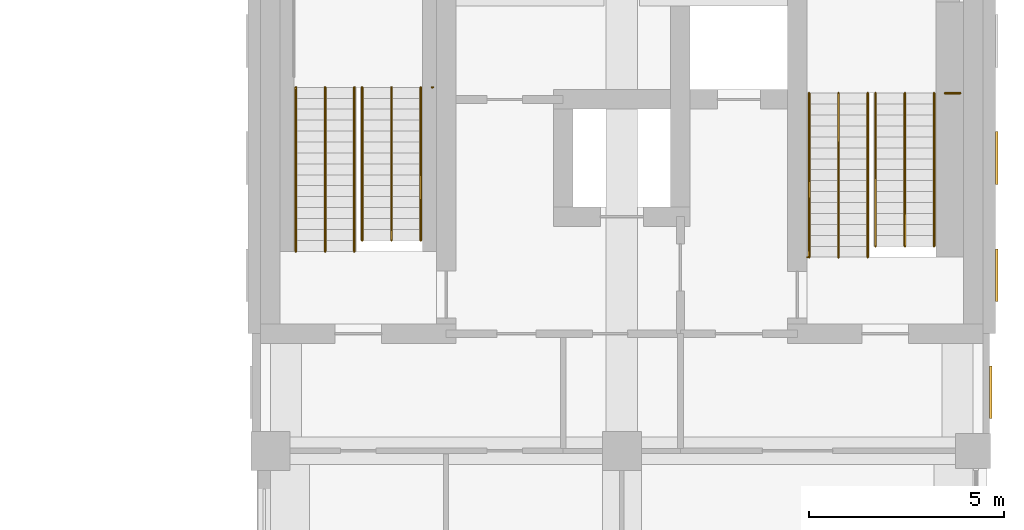
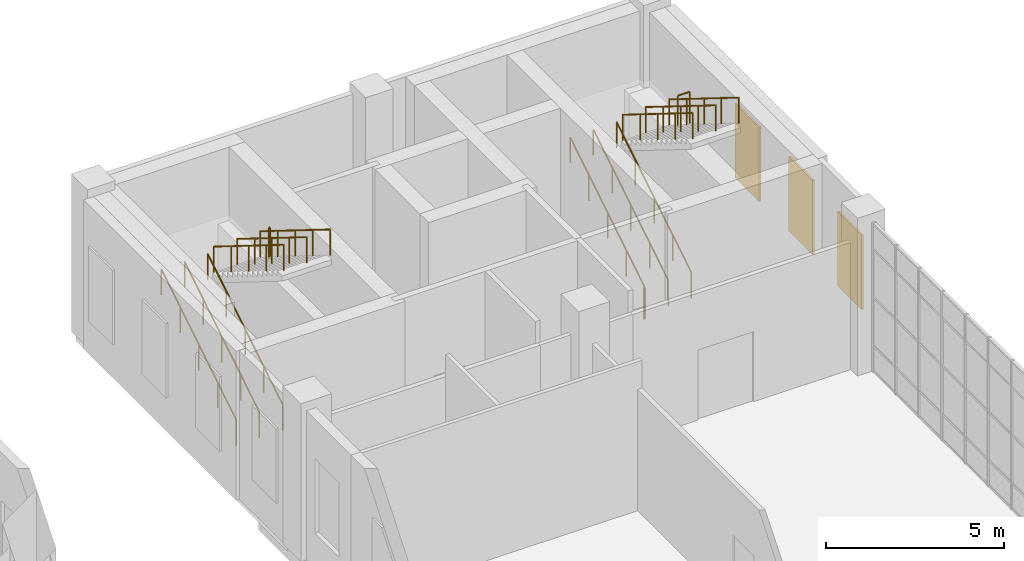
# One storey, part 50 of 52: 15 railings, 3 coverings.
"""IFC4 building model written with IfcOpenShell, lengths in metres."""

import ifcopenshell
import ifcopenshell.guid

model = None  # the IFC model being written
_history = None  # IfcOwnerHistory: only IFC2X3 demands one
_inside = {}  # id of a spatial element -> (the spatial element, [elements in it])
_under = {}  # id of a project, library or spatial element -> (it, [spatial elements below it])
_declared = {}  # id of a project -> (the project, [libraries it declares])
_typed = {}  # id of a type object -> (the type object, [elements of that type])
_made_of = {}  # id of a material, layer set ... -> (it, [elements and type objects made of it])


def new_model(schema):
    """Start an empty IFC model of exactly this schema.

    Asked for "IFC4X3", IfcOpenShell would pick the latest addendum, in which some entities
    have other attributes; the version numbers below select the first issue.
    IFC2X3 requires an IfcOwnerHistory on every rooted entity: one is made here for all.
    """
    global model, _history
    if schema == "IFC4X3":
        model = ifcopenshell.file(schema_version=(4, 3, 0, 0))
    else:
        model = ifcopenshell.file(schema=schema)
    _inside.clear()
    _under.clear()
    _declared.clear()
    _typed.clear()
    _made_of.clear()
    _history = None
    if model.schema == "IFC2X3":
        org = make("IfcOrganization", Name="unknown")
        user = make(
            "IfcPersonAndOrganization",
            ThePerson=make("IfcPerson", FamilyName="unknown"),
            TheOrganization=org,
        )
        app = make(
            "IfcApplication",
            ApplicationDeveloper=org,
            Version="unknown",
            ApplicationFullName="unknown",
            ApplicationIdentifier="unknown",
        )
        _history = make(
            "IfcOwnerHistory",
            OwningUser=user,
            OwningApplication=app,
            ChangeAction="ADDED",
            CreationDate=0,
        )
    return model


def make(cls, **values):
    """One entity of the class cls with the attributes given. An attribute that is None is left unset."""
    return model.create_entity(
        cls, **{name: value for name, value in values.items() if value is not None}
    )


def rooted(cls, **values):
    """An entity with a GlobalId (a new one), such as an element, a storey or a relation."""
    return make(cls, GlobalId=ifcopenshell.guid.new(), OwnerHistory=_history, **values)


def si_unit(unit_type, name, prefix=None):
    """IfcSIUnit, for example si_unit("LENGTHUNIT", "METRE", prefix="MILLI")."""
    return make("IfcSIUnit", UnitType=unit_type, Prefix=prefix, Name=name)


def assignment(units):
    """IfcUnitAssignment: the units of a project."""
    return None if units is None else make("IfcUnitAssignment", Units=units)


def point(xyz):
    """IfcCartesianPoint."""
    return None if xyz is None else make("IfcCartesianPoint", Coordinates=xyz)


def direction(xyz):
    """IfcDirection."""
    return None if xyz is None else make("IfcDirection", DirectionRatios=xyz)


def frame(location, z_axis=None, x_axis=None):
    """IfcAxis2Placement3D, a coordinate frame: its origin and axes. An axis left out is left unset."""
    return make(
        "IfcAxis2Placement3D",
        Location=point(location),
        Axis=direction(z_axis),
        RefDirection=direction(x_axis),
    )


def frame_2d(location, x_axis=None):
    """IfcAxis2Placement2D, a coordinate frame in the plane: its origin and x axis."""
    return make(
        "IfcAxis2Placement2D", Location=point(location), RefDirection=direction(x_axis)
    )


def origin():
    """The frame at (0, 0, 0) with its axes left unset."""
    return frame((0.0, 0.0, 0.0))


def origin_2d():
    """The frame at (0, 0) in the plane with its x axis left unset."""
    return frame_2d((0.0, 0.0))


def place(relative_to, where):
    """IfcLocalPlacement: puts the frame where relative to a parent placement (None: the world)."""
    return make(
        "IfcLocalPlacement", PlacementRelTo=relative_to, RelativePlacement=where
    )


def context(
    kind, dimensions, precision=None, world=None, true_north=None, identifier=None
):
    """IfcGeometricRepresentationContext, for example the 3D "Model" context."""
    return make(
        "IfcGeometricRepresentationContext",
        ContextIdentifier=identifier,
        ContextType=kind,
        CoordinateSpaceDimension=dimensions,
        Precision=precision,
        WorldCoordinateSystem=world,
        TrueNorth=true_north,
    )


def subcontext(parent, identifier, kind, view, scale=None):
    """IfcGeometricRepresentationSubContext, for example "Body" below "Model"."""
    return make(
        "IfcGeometricRepresentationSubContext",
        ContextIdentifier=identifier,
        ContextType=kind,
        ParentContext=parent,
        TargetScale=scale,
        TargetView=view,
    )


def project(units=None, contexts=None):
    """IfcProject with its units and contexts."""
    return rooted(
        "IfcProject",
        Name="project",
        RepresentationContexts=contexts,
        UnitsInContext=assignment(units),
    )


def spatial(cls, under=None, at=None, **own):
    """A site, building, storey or space (cls), placed at a placement, below another one or the project."""
    s = rooted(cls, ObjectPlacement=at, **own)
    if under is not None:
        _under.setdefault(under.id(), (under, []))[1].append(s)
    return s


def profile(cls, at=None, kind="AREA", **sizes):
    """A parametric profile (cls). Its sizes go by their IFC names, for example OverallWidth=200.0."""
    return make(cls, ProfileType=kind, Position=at, **sizes)


def rectangle(**sizes):
    """IfcRectangleProfileDef."""
    return profile("IfcRectangleProfileDef", **sizes)


def circle(**sizes):
    """IfcCircleProfileDef."""
    return profile("IfcCircleProfileDef", **sizes)


def extrude(swept, where, along, depth):
    """IfcExtrudedAreaSolid: the profile swept, set in the frame where, extruded along a direction by depth."""
    return make(
        "IfcExtrudedAreaSolid",
        SweptArea=swept,
        Position=where,
        ExtrudedDirection=direction(along),
        Depth=depth,
    )


def shape(context_of_items, identifier, shape_type, items):
    """IfcShapeRepresentation: the items that make up one representation, for example the "Body"."""
    return make(
        "IfcShapeRepresentation",
        ContextOfItems=context_of_items,
        RepresentationIdentifier=identifier,
        RepresentationType=shape_type,
        Items=items,
    )


def material(Name=None, Category=None):
    """IfcMaterial."""
    return make("IfcMaterial", Name=Name, Category=Category)


def layer(
    of_material, thickness, ventilated=None, Name=None, Category=None, Priority=None
):
    """IfcMaterialLayer: one layer of a wall or slab, of a material (None: an air gap)."""
    return make(
        "IfcMaterialLayer",
        Material=of_material,
        LayerThickness=thickness,
        IsVentilated=ventilated,
        Name=Name,
        Category=Category,
        Priority=Priority,
    )


def layer_set(layers, Name=None):
    """IfcMaterialLayerSet."""
    return make("IfcMaterialLayerSet", MaterialLayers=layers, LayerSetName=Name)


def made_of(thing, what):
    """Note that an element or type object is made of a material, layer set ...; save() writes the relation."""
    if what is not None:
        _made_of.setdefault(what.id(), (what, []))[1].append(thing)
    return thing


def type_object(cls, material=None, **own):
    """A type object (cls), such as IfcWallType, which elements share."""
    return made_of(rooted(cls, **own), material)


def element(
    cls,
    number,
    at=None,
    inside=None,
    cuts=None,
    type_object=None,
    material=None,
    context=None,
    identifier="Body",
    shape_type=None,
    held_by="IfcProductDefinitionShape",
    body=None,
    shapes=None,
    **own,
):
    """One element of the class cls, such as IfcWall. Its Tag is "e" and its number.

    at: its placement. inside: the storey or other place that contains it. cuts: it is an
    opening in that element (IfcRelVoidsElement). A single representation is given by context,
    identifier, shape_type and body (its items); several are given by shapes. held_by: the class
    of the entity that holds the representations. save() writes the other relations.
    """
    e = rooted(cls, Tag="e%d" % number, ObjectPlacement=at, **own)
    if body is not None:
        shapes = [shape(context, identifier, shape_type, body)]
    if shapes is not None:
        e.Representation = make(held_by, Representations=shapes)
    if inside is not None:
        _inside.setdefault(inside.id(), (inside, []))[1].append(e)
    if cuts is not None:
        rooted(
            "IfcRelVoidsElement", RelatingBuildingElement=cuts, RelatedOpeningElement=e
        )
    if type_object is not None:
        _typed.setdefault(type_object.id(), (type_object, []))[1].append(e)
    return made_of(e, material)


def aggregate(whole, parts):
    """IfcRelAggregates: a whole, such as a stair, and the parts it consists of."""
    return rooted("IfcRelAggregates", RelatingObject=whole, RelatedObjects=parts)


def save(model, path):
    """Write the relations noted so far, then the file.

    IfcRelAggregates (storeys below a building ...), IfcRelContainedInSpatialStructure (elements
    in a storey), IfcRelDefinesByType, IfcRelAssociatesMaterial and IfcRelDeclares: one each for
    every whole, place, type object, material and project.
    """
    for whole, parts in _under.values():
        aggregate(whole, parts)
    for where, things in _inside.values():
        rooted(
            "IfcRelContainedInSpatialStructure",
            RelatedElements=things,
            RelatingStructure=where,
        )
    for kind, things in _typed.values():
        rooted("IfcRelDefinesByType", RelatedObjects=things, RelatingType=kind)
    for what, things in _made_of.values():
        rooted("IfcRelAssociatesMaterial", RelatedObjects=things, RelatingMaterial=what)
    for by, libraries in _declared.values():
        rooted("IfcRelDeclares", RelatingContext=by, RelatedDefinitions=libraries)
    model.write(path)


model = new_model("IFC4")

# Units and contexts
model_context = context("Model", 3, precision=1e-05, world=origin(), true_north=direction((0.0, 1.0)))
body_context = subcontext(model_context, "Body", "Model", "MODEL_VIEW")
ifc_project = project(units=[si_unit("LENGTHUNIT", "METRE"), si_unit("AREAUNIT", "SQUARE_METRE"), si_unit("VOLUMEUNIT", "CUBIC_METRE"), si_unit("PLANEANGLEUNIT", "RADIAN"), si_unit("MASSUNIT", "GRAM", prefix="KILO")], contexts=[model_context])

# Site, building, storey
site_placement = place(None, origin())
site = spatial("IfcSite", under=ifc_project, at=site_placement, CompositionType="ELEMENT")
building_placement = place(site_placement, origin())
building = spatial("IfcBuilding", under=site, at=building_placement, Name="Aurelan Courthouse", CompositionType="ELEMENT")
storey_placement = place(building_placement, frame((0.0, 0.0, 6.60009765625)))
storey = spatial("IfcBuildingStorey", under=building, at=storey_placement, Name="L01", CompositionType="ELEMENT", Elevation=6.60009765625)

# Coverings
ifc_material_1 = material(Name="Bronze sheet cladding")
ifc_layer = layer(ifc_material_1, 0.06005859375)
ifc_layer_set = layer_set([ifc_layer], Name="Bronze sheet cladding")
covering_type = type_object("IfcCoveringType", Name="Law Library blind bay 1350 x 2550", PredefinedType="CLADDING", material=ifc_layer_set)
for number, where, z_axis, x_axis, name in (
    (1, (90.449951171875, 55.5, 1.19970703125), (0.0, 0.0, 1.0), (1.0, 0.0, 0.0), "Blind bay BB-V3-L01-010"),
    (2, (90.60009765625, 58.5, 1.19970703125), (0.0, 0.0, 1.0), (1.0, 0.0, 0.0), "Blind bay BB-V3-L01-011"),
    (3, (90.60009765625, 61.5, 1.19970703125), (0.0, 0.0, 1.0), (1.0, 0.0, 0.0), "Blind bay BB-V3-L01-012"),
):
    element("IfcCovering", number, at=place(storey_placement, frame(where, z_axis=z_axis, x_axis=x_axis)), inside=storey, type_object=covering_type, Name=name, PredefinedType="CLADDING", context=body_context, shape_type="SweptSolid", body=[
        extrude(rectangle(XDim=0.06005859375, YDim=1.35009765625, at=origin_2d()), origin(), (0.0, 0.0, 1.0), 2.550048828125),
    ])

# Railings
ifc_material_2 = material(Name="Steel S355", Category="steel")
railing_type_1 = type_object("IfcRailingType", Name="Stair guard 1100", PredefinedType="GUARDRAIL", material=ifc_material_2)
railing_1_placement = place(storey_placement, frame((76.169921875, 63.31005859375, 2.787109375)))
element("IfcRailing", 4, at=railing_1_placement, inside=storey, type_object=railing_type_1, Name="Guard ST-3A-L01-GL2", PredefinedType="GUARDRAIL", context=body_context, shape_type="SweptSolid", body=[
    extrude(circle(Radius=0.02392578125, at=origin_2d()), frame((0.0, 0.0, 1.076171875), z_axis=(-1.0, 0.0, 0.0), x_axis=(0.0, -1.0, 0.0)), (0.0, 0.0, 1.0), 0.0400390625),
    extrude(circle(Radius=0.02099609375, at=origin_2d()), origin(), (0.0, 0.0, 1.0), 1.052001953125),
    extrude(circle(Radius=0.02099609375, at=origin_2d()), frame((-0.0400390625, 0.0, 0.0)), (0.0, 0.0, 1.0), 1.052001953125),
])
railing_2_placement = place(storey_placement, frame((85.800048828125, 58.9599609375, 0.0)))
element("IfcRailing", 5, at=railing_2_placement, inside=storey, type_object=railing_type_1, Name="Guard ST-3B-L01-H1-C", PredefinedType="GUARDRAIL", context=body_context, shape_type="SweptSolid", body=[
    extrude(circle(Radius=0.02392578125, at=origin_2d()), frame((0.0, 0.0, 1.076171875), z_axis=(-1.0, 0.0, 0.0), x_axis=(0.0, -1.0, 0.0)), (0.0, 0.0, 1.0), 0.050048828125),
    extrude(circle(Radius=0.02099609375, at=origin_2d()), origin(), (0.0, 0.0, 1.0), 1.052001953125),
    extrude(circle(Radius=0.02099609375, at=origin_2d()), frame((-0.050048828125, 0.0, 0.0)), (0.0, 0.0, 1.0), 1.052001953125),
])
railing_3_placement = place(storey_placement, frame((89.669921875, 63.159912109375, 2.787109375)))
element("IfcRailing", 6, at=railing_3_placement, inside=storey, type_object=railing_type_1, Name="Guard ST-3B-L01-GL1", PredefinedType="GUARDRAIL", context=body_context, shape_type="SweptSolid", body=[
    extrude(circle(Radius=0.02392578125, at=origin_2d()), frame((0.0, 0.0, 1.076171875), z_axis=(-1.0, 0.0, 0.0), x_axis=(0.0, -1.0, 0.0)), (0.0, 0.0, 1.0), 0.389892578125),
    extrude(circle(Radius=0.02099609375, at=origin_2d()), origin(), (0.0, 0.0, 1.0), 1.052001953125),
    extrude(circle(Radius=0.02099609375, at=origin_2d()), frame((-0.389892578125, 0.0, 0.0)), (0.0, 0.0, 1.0), 1.052001953125),
])
railing_type_2 = type_object("IfcRailingType", Name="Stair handrail 900", PredefinedType="HANDRAIL", material=ifc_material_2)
for number, where, name in (
    (7, (72.64990234375, 59.110107421875, 0.174072265625), "Handrail ST-3A-L01-H1"),
    (8, (74.14990234375, 59.110107421875, 0.174072265625), "Handrail ST-3A-L01-H2"),
    (9, (73.39990234375, 59.110107421875, 0.174072265625), "Handrail ST-3A-L01-H3"),
):
    element("IfcRailing", number, at=place(storey_placement, frame(where)), inside=storey, type_object=railing_type_2, Name=name, PredefinedType="HANDRAIL", context=body_context, shape_type="SweptSolid", body=[
        extrude(circle(Radius=0.02392578125, at=origin_2d()), frame((0.0, 0.0, 0.8759765625), z_axis=(0.0, 0.849080710111, 0.528263142494), x_axis=(-1.0, 0.0, 0.0)), (0.0, 0.0, 1.0), 4.946533203125),
        extrude(circle(Radius=0.02099609375, at=origin_2d()), origin(), (0.0, 0.0, 1.0), 0.851806640625),
        extrude(circle(Radius=0.02099609375, at=origin_2d()), frame((0.0, 1.050048828125, 0.6533203125)), (0.0, 0.0, 1.0), 0.851806640625),
        extrude(circle(Radius=0.02099609375, at=origin_2d()), frame((0.0, 2.10009765625, 1.306640625)), (0.0, 0.0, 1.0), 0.851806640625),
        extrude(circle(Radius=0.02099609375, at=origin_2d()), frame((0.0, 3.14990234375, 1.959716796875)), (0.0, 0.0, 1.0), 0.851806640625),
        extrude(circle(Radius=0.02099609375, at=origin_2d()), frame((0.0, 4.199951171875, 2.613037109375)), (0.0, 0.0, 1.0), 0.851806640625),
    ])
for number, where, name in (
    (10, (74.35009765625, 63.31005859375, 2.961181640625), "Handrail ST-3A-L01-H4"),
    (11, (75.85009765625, 63.31005859375, 2.961181640625), "Handrail ST-3A-L01-H5"),
    (12, (75.10009765625, 63.31005859375, 2.961181640625), "Handrail ST-3A-L01-H6"),
):
    element("IfcRailing", number, at=place(storey_placement, frame(where)), inside=storey, type_object=railing_type_2, Name=name, PredefinedType="HANDRAIL", context=body_context, shape_type="SweptSolid", body=[
        extrude(circle(Radius=0.02392578125, at=origin_2d()), frame((0.0, 0.0, 0.8759765625), z_axis=(0.0, -0.849104567483, 0.528224794457), x_axis=(1.0, 0.0, 0.0)), (0.0, 0.0, 1.0), 4.616943359375),
        extrude(circle(Radius=0.02099609375, at=origin_2d()), origin(), (0.0, 0.0, 1.0), 0.851806640625),
        extrude(circle(Radius=0.02099609375, at=origin_2d()), frame((0.0, -0.97998046875, 0.609619140625)), (0.0, 0.0, 1.0), 0.851806640625),
        extrude(circle(Radius=0.02099609375, at=origin_2d()), frame((0.0, -1.9599609375, 1.21923828125)), (0.0, 0.0, 1.0), 0.851806640625),
        extrude(circle(Radius=0.02099609375, at=origin_2d()), frame((0.0, -2.940185546875, 1.8291015625)), (0.0, 0.0, 1.0), 0.851806640625),
        extrude(circle(Radius=0.02099609375, at=origin_2d()), frame((0.0, -3.920166015625, 2.438720703125)), (0.0, 0.0, 1.0), 0.851806640625),
    ])
for number, where, name in (
    (13, (85.800048828125, 58.9599609375, 0.174072265625), "Handrail ST-3B-L01-H1"),
    (14, (87.300048828125, 58.9599609375, 0.174072265625), "Handrail ST-3B-L01-H2"),
    (15, (86.550048828125, 58.9599609375, 0.174072265625), "Handrail ST-3B-L01-H3"),
):
    element("IfcRailing", number, at=place(storey_placement, frame(where)), inside=storey, type_object=railing_type_2, Name=name, PredefinedType="HANDRAIL", context=body_context, shape_type="SweptSolid", body=[
        extrude(circle(Radius=0.02392578125, at=origin_2d()), frame((0.0, 0.0, 0.8759765625), z_axis=(0.0, 0.849080710111, 0.528263142494), x_axis=(-1.0, 0.0, 0.0)), (0.0, 0.0, 1.0), 4.946533203125),
        extrude(circle(Radius=0.02099609375, at=origin_2d()), origin(), (0.0, 0.0, 1.0), 0.851806640625),
        extrude(circle(Radius=0.02099609375, at=origin_2d()), frame((0.0, 1.050048828125, 0.6533203125)), (0.0, 0.0, 1.0), 0.851806640625),
        extrude(circle(Radius=0.02099609375, at=origin_2d()), frame((0.0, 2.10009765625, 1.306640625)), (0.0, 0.0, 1.0), 0.851806640625),
        extrude(circle(Radius=0.02099609375, at=origin_2d()), frame((0.0, 3.14990234375, 1.959716796875)), (0.0, 0.0, 1.0), 0.851806640625),
        extrude(circle(Radius=0.02099609375, at=origin_2d()), frame((0.0, 4.199951171875, 2.613037109375)), (0.0, 0.0, 1.0), 0.851806640625),
    ])
for number, where, name in (
    (16, (87.5, 63.159912109375, 2.961181640625), "Handrail ST-3B-L01-H4"),
    (17, (89.0, 63.159912109375, 2.961181640625), "Handrail ST-3B-L01-H5"),
    (18, (88.25, 63.159912109375, 2.961181640625), "Handrail ST-3B-L01-H6"),
):
    element("IfcRailing", number, at=place(storey_placement, frame(where)), inside=storey, type_object=railing_type_2, Name=name, PredefinedType="HANDRAIL", context=body_context, shape_type="SweptSolid", body=[
        extrude(circle(Radius=0.02392578125, at=origin_2d()), frame((0.0, 0.0, 0.8759765625), z_axis=(0.0, -0.849089811655, 0.528248513243), x_axis=(1.0, 0.0, 0.0)), (0.0, 0.0, 1.0), 4.61669921875),
        extrude(circle(Radius=0.02099609375, at=origin_2d()), origin(), (0.0, 0.0, 1.0), 0.851806640625),
        extrude(circle(Radius=0.02099609375, at=origin_2d()), frame((0.0, -0.97998046875, 0.609619140625)), (0.0, 0.0, 1.0), 0.851806640625),
        extrude(circle(Radius=0.02099609375, at=origin_2d()), frame((0.0, -1.9599609375, 1.21923828125)), (0.0, 0.0, 1.0), 0.851806640625),
        extrude(circle(Radius=0.02099609375, at=origin_2d()), frame((0.0, -2.93994140625, 1.8291015625)), (0.0, 0.0, 1.0), 0.851806640625),
        extrude(circle(Radius=0.02099609375, at=origin_2d()), frame((0.0, -3.919921875, 2.438720703125)), (0.0, 0.0, 1.0), 0.851806640625),
    ])

save(model, "model.ifc")
